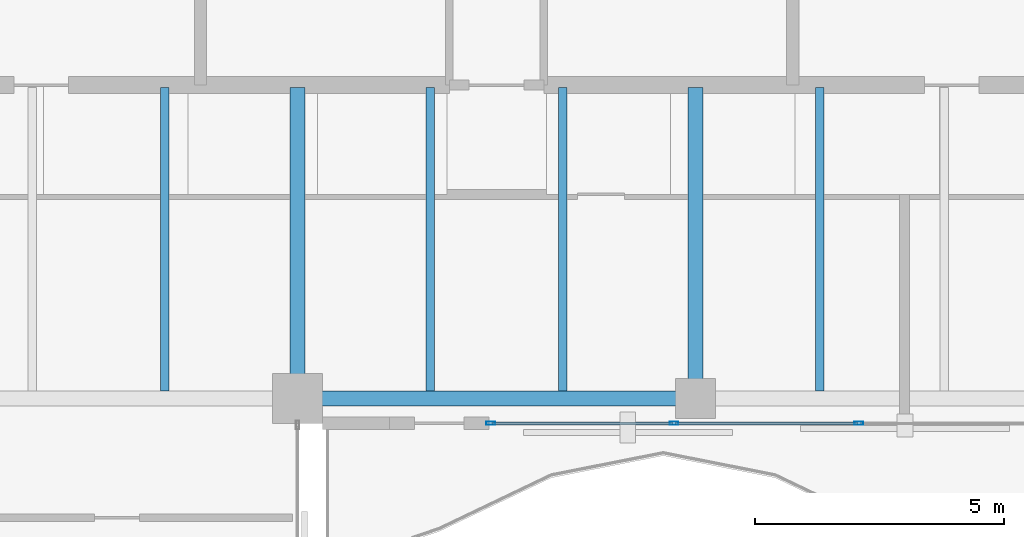
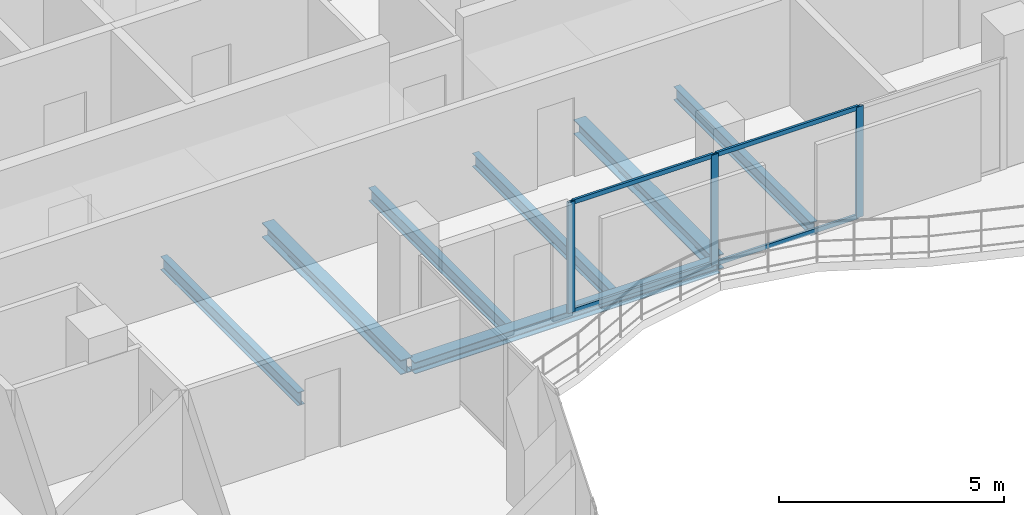
# One storey, part 11 of 23: 7 beams, 7 members, 1 element without a shape of its own.
"""IFC4 building model written with IfcOpenShell, lengths in metres."""

from ifc_helpers import new_model, si_unit, direction, frame, origin, origin_2d, place, context, subcontext, project, spatial, hollow_rectangle, i_section, extrude, material, layer, layer_set, material_profile, profile_set, type_object, element, aggregate, save


model = new_model("IFC4")

# Units and contexts
model_context = context("Model", 3, precision=1e-05, world=origin(), true_north=direction((0.0, 1.0)))
body_context = subcontext(model_context, "Body", "Model", "MODEL_VIEW")
ifc_project = project(units=[si_unit("LENGTHUNIT", "METRE"), si_unit("AREAUNIT", "SQUARE_METRE"), si_unit("VOLUMEUNIT", "CUBIC_METRE"), si_unit("PLANEANGLEUNIT", "RADIAN"), si_unit("MASSUNIT", "GRAM", prefix="KILO")], contexts=[model_context])

# Site, building, storey
site_placement = place(None, origin())
site = spatial("IfcSite", under=ifc_project, at=site_placement, CompositionType="ELEMENT")
building_placement = place(site_placement, origin())
building = spatial("IfcBuilding", under=site, at=building_placement, Name="Catumbela Crestline Tower", CompositionType="ELEMENT")
storey_placement = place(building_placement, frame((0.0, 0.0, 165.0)))
storey = spatial("IfcBuildingStorey", under=building, at=storey_placement, Name="L42", CompositionType="ELEMENT", Elevation=165.0)

# Beams
ifc_material_1 = material(Name="Structural steel S355J2", Category="steel")
ifc_material_profile_1 = material_profile(ifc_material_1, i_section(OverallWidth=0.3, OverallDepth=0.39, WebThickness=0.011, FlangeThickness=0.019, FilletRadius=0.027, at=origin_2d()), Name="HEA 400")
ifc_profile_set_1 = profile_set([ifc_material_profile_1], Name="Structural steel S355J2")
beam_type_1 = type_object("IfcBeamType", Name="BG-HEA400", PredefinedType="BEAM", material=ifc_profile_set_1)
for number, where, z_axis, x_axis, name in (
    (1, (24.0, 24.58, -0.455), (0.0, 1.0, 0.0), (-1.0, 0.0, 0.0), "L42 Beam BM-L42-SNS18"),
    (2, (32.0, 24.58, -0.455), (0.0, 1.0, 0.0), (-1.0, 0.0, 0.0), "L42 Beam BM-L42-SNS19"),
):
    element("IfcBeam", number, at=place(storey_placement, frame(where, z_axis=z_axis, x_axis=x_axis)), inside=storey, type_object=beam_type_1, Name=name, PredefinedType="BEAM", context=body_context, shape_type="SweptSolid", body=[
        extrude(i_section(OverallWidth=0.3, OverallDepth=0.39, WebThickness=0.011, FlangeThickness=0.019, FilletRadius=0.027, at=origin_2d()), origin(), (0.0, 0.0, 1.0), 6.17),
    ])
ifc_material_profile_2 = material_profile(ifc_material_1, i_section(OverallWidth=0.17, OverallDepth=0.36, WebThickness=0.008, FlangeThickness=0.0127, FilletRadius=0.018, at=origin_2d()), Name="IPE 360")
ifc_profile_set_2 = profile_set([ifc_material_profile_2], Name="Structural steel S355J2")
beam_type_2 = type_object("IfcBeamType", Name="BJ-IPE360", PredefinedType="JOIST", material=ifc_profile_set_2)
for number, where, z_axis, x_axis, name in (
    (3, (21.333, 24.647, -0.44), (0.0, 1.0, 0.0), (-1.0, 0.0, 0.0), "L42 Joist JS-L42-SP27"),
    (4, (26.667, 24.647, -0.44), (0.0, 1.0, 0.0), (-1.0, 0.0, 0.0), "L42 Joist JS-L42-SP28"),
    (5, (29.333, 24.647, -0.44), (0.0, 1.0, 0.0), (-1.0, 0.0, 0.0), "L42 Joist JS-L42-SP29"),
    (6, (34.5, 24.647, -0.44), (0.0, 1.0, 0.0), (-1.0, 0.0, 0.0), "L42 Joist JS-L42-SP30"),
):
    element("IfcBeam", number, at=place(storey_placement, frame(where, z_axis=z_axis, x_axis=x_axis)), inside=storey, type_object=beam_type_2, Name=name, PredefinedType="JOIST", context=body_context, shape_type="SweptSolid", body=[
        extrude(i_section(OverallWidth=0.17, OverallDepth=0.36, WebThickness=0.008, FlangeThickness=0.0127, FilletRadius=0.018, at=origin_2d()), origin(), (0.0, 0.0, 1.0), 6.103),
    ])

# Curtain wall, members
ifc_material_2 = material(Name="Aluminium alloy AW-6060-T66", Category="aluminium")
ifc_layer = layer(ifc_material_2, 0.18, Name="Aluminium alloy AW-6060-T66")
ifc_layer_set = layer_set([ifc_layer], Name="Aluminium alloy AW-6060-T66")
curtain_wall_type = type_object("IfcCurtainWallType", Name="CWU-Z3", PredefinedType="USERDEFINED", material=ifc_layer_set)
curtain_wall_placement = place(storey_placement, origin())
curtain_wall = element("IfcCurtainWall", 7, at=curtain_wall_placement, inside=storey, type_object=curtain_wall_type, Name="L42 Unitised Curtain Wall CW-L42-E3S2", ObjectType="UNITISED", PredefinedType="USERDEFINED")
ifc_material_profile_3 = material_profile(ifc_material_2, hollow_rectangle(XDim=0.065, YDim=0.18, WallThickness=0.004, at=origin_2d()), Name="ALU 180x65x4")
ifc_profile_set_3 = profile_set([ifc_material_profile_3], Name="Aluminium alloy AW-6060-T66")
member_type_1 = type_object("IfcMemberType", Name="MUL-180X65", PredefinedType="MULLION", material=ifc_profile_set_3)
member_1_placement = place(storey_placement, frame((27.8825, 24.0, 0.0), z_axis=(0.0, 0.0, 1.0), x_axis=(0.0, 1.0, 0.0)))
member_1 = element("IfcMember", 8, at=member_1_placement, type_object=member_type_1, Name="CWU-Z3 mullion 1", PredefinedType="MULLION", context=body_context, shape_type="SweptSolid", body=[
    extrude(hollow_rectangle(XDim=0.065, YDim=0.18, WallThickness=0.004, at=origin_2d()), origin(), (0.0, 0.0, 1.0), 3.01),
])
member_2_placement = place(storey_placement, frame((31.5667, 24.0, 0.0), z_axis=(0.0, 0.0, 1.0), x_axis=(0.0, 1.0, 0.0)))
member_2 = element("IfcMember", 9, at=member_2_placement, type_object=member_type_1, Name="CWU-Z3 mullion 2", PredefinedType="MULLION", context=body_context, shape_type="SweptSolid", body=[
    extrude(hollow_rectangle(XDim=0.065, YDim=0.18, WallThickness=0.004, at=origin_2d()), origin(), (0.0, 0.0, 1.0), 3.01),
])
member_3_placement = place(storey_placement, frame((35.2833, 24.0, 0.0), z_axis=(0.0, 0.0, 1.0), x_axis=(0.0, 1.0, 0.0)))
member_3 = element("IfcMember", 10, at=member_3_placement, type_object=member_type_1, Name="CWU-Z3 mullion 3", PredefinedType="MULLION", context=body_context, shape_type="SweptSolid", body=[
    extrude(hollow_rectangle(XDim=0.065, YDim=0.18, WallThickness=0.004, at=origin_2d()), origin(), (0.0, 0.0, 1.0), 3.01),
])

# Beam
ifc_material_profile_4 = material_profile(ifc_material_1, i_section(OverallWidth=0.3, OverallDepth=0.31, WebThickness=0.009, FlangeThickness=0.0155, FilletRadius=0.027, at=origin_2d()), Name="HEA 320")
ifc_profile_set_4 = profile_set([ifc_material_profile_4], Name="Structural steel S355J2")
beam_type_3 = type_object("IfcBeamType", Name="BS-HEA320", PredefinedType="SPANDREL", material=ifc_profile_set_4)
beam_placement = place(storey_placement, frame((24.08, 24.5, -0.415), z_axis=(1.0, 0.0, 0.0), x_axis=(0.0, 1.0, 0.0)))
element("IfcBeam", 11, at=beam_placement, inside=storey, type_object=beam_type_3, Name="L42 Spandrel SP-L42-S04", PredefinedType="SPANDREL", context=body_context, shape_type="SweptSolid", body=[
    extrude(i_section(OverallWidth=0.3, OverallDepth=0.31, WebThickness=0.009, FlangeThickness=0.0155, FilletRadius=0.027, at=origin_2d()), origin(), (0.0, 0.0, 1.0), 7.84),
])

# Member
ifc_material_profile_5 = material_profile(ifc_material_2, hollow_rectangle(XDim=0.06, YDim=0.12, WallThickness=0.0035, at=origin_2d()), Name="ALU 120x60x3.5")
ifc_profile_set_5 = profile_set([ifc_material_profile_5], Name="Aluminium alloy AW-6060-T66")
member_type_2 = type_object("IfcMemberType", Name="TRN-120X60", PredefinedType="USERDEFINED", material=ifc_profile_set_5)
member_4_placement = place(storey_placement, frame((27.915, 24.0, 0.03), z_axis=(1.0, 0.0, 0.0), x_axis=(0.0, 1.0, 0.0)))
member_4 = element("IfcMember", 12, at=member_4_placement, type_object=member_type_2, Name="CWU-Z3 transom 1.1", ObjectType="TRANSOM", PredefinedType="USERDEFINED", context=body_context, shape_type="SweptSolid", body=[
    extrude(hollow_rectangle(XDim=0.06, YDim=0.12, WallThickness=0.0035, at=origin_2d()), origin(), (0.0, 0.0, 1.0), 3.6192),
])

member_5_placement = place(storey_placement, frame((27.915, 24.0, 2.98), z_axis=(1.0, 0.0, 0.0), x_axis=(0.0, 1.0, 0.0)))
member_5 = element("IfcMember", 13, at=member_5_placement, type_object=member_type_2, Name="CWU-Z3 transom 1.2", ObjectType="TRANSOM", PredefinedType="USERDEFINED", context=body_context, shape_type="SweptSolid", body=[
    extrude(hollow_rectangle(XDim=0.06, YDim=0.12, WallThickness=0.0035, at=origin_2d()), origin(), (0.0, 0.0, 1.0), 3.6192),
])

member_6_placement = place(storey_placement, frame((31.5992, 24.0, 0.03), z_axis=(1.0, 0.0, 0.0), x_axis=(0.0, 1.0, 0.0)))
member_6 = element("IfcMember", 14, at=member_6_placement, type_object=member_type_2, Name="CWU-Z3 transom 2.1", ObjectType="TRANSOM", PredefinedType="USERDEFINED", context=body_context, shape_type="SweptSolid", body=[
    extrude(hollow_rectangle(XDim=0.06, YDim=0.12, WallThickness=0.0035, at=origin_2d()), origin(), (0.0, 0.0, 1.0), 3.6516),
])

member_7_placement = place(storey_placement, frame((31.5992, 24.0, 2.98), z_axis=(1.0, 0.0, 0.0), x_axis=(0.0, 1.0, 0.0)))
member_7 = element("IfcMember", 15, at=member_7_placement, type_object=member_type_2, Name="CWU-Z3 transom 2.2", ObjectType="TRANSOM", PredefinedType="USERDEFINED", context=body_context, shape_type="SweptSolid", body=[
    extrude(hollow_rectangle(XDim=0.06, YDim=0.12, WallThickness=0.0035, at=origin_2d()), origin(), (0.0, 0.0, 1.0), 3.6516),
])

aggregate(curtain_wall, [member_1, member_2, member_3, member_4, member_5, member_6, member_7])

save(model, "model.ifc")
